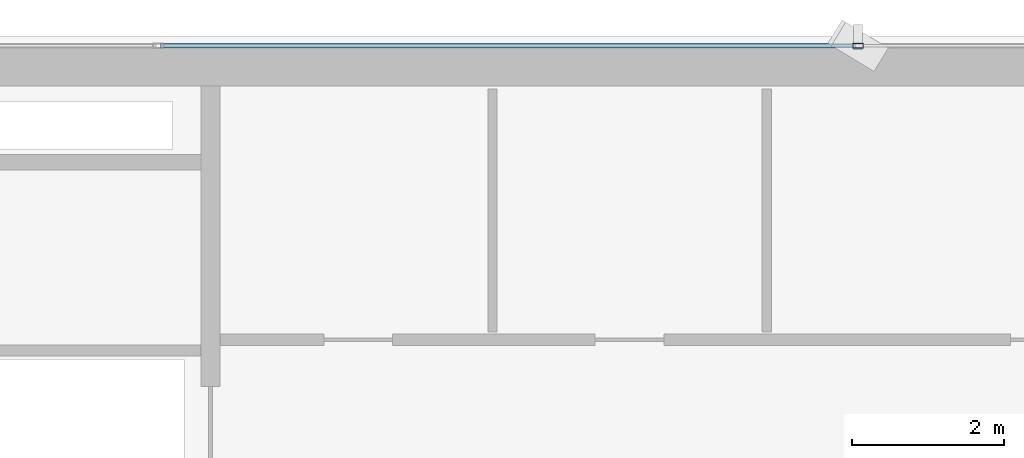
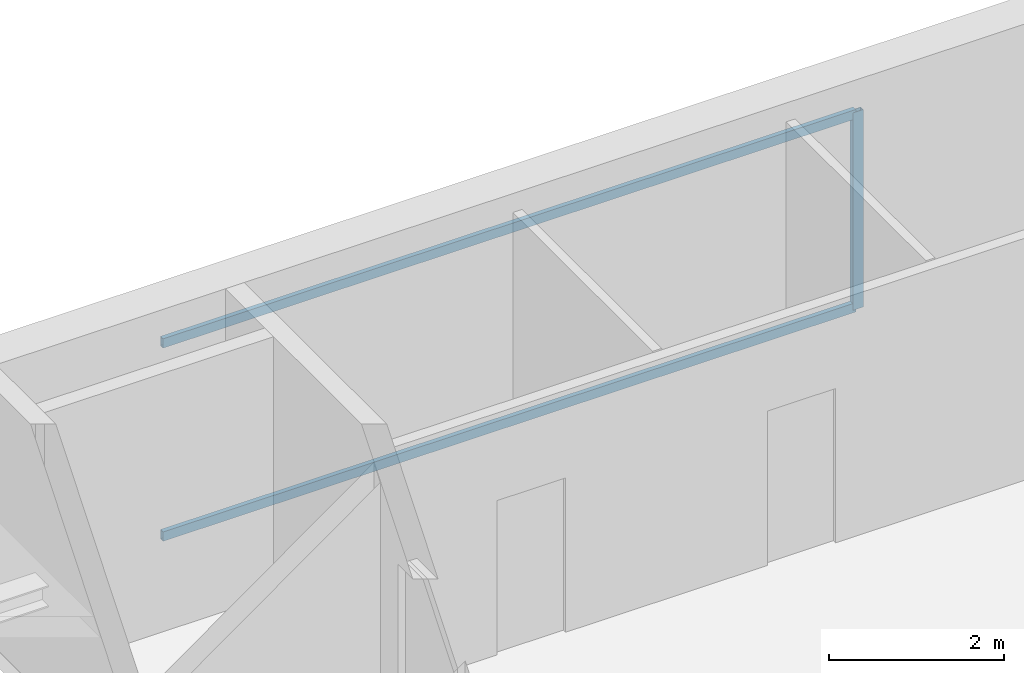
# One storey, part 16 of 25: 3 members, 1 element without a shape of its own.
"""IFC4 building model written with IfcOpenShell, lengths in metres."""

from ifc_helpers import new_model, si_unit, direction, frame, origin, origin_2d, place, context, subcontext, project, spatial, hollow_rectangle, extrude, source, transform, mapped, material, layer, layer_set, material_profile, profile_set, type_object, element, aggregate, save


model = new_model("IFC4")

# Units and contexts
model_context = context("Model", 3, precision=1e-05, world=origin(), true_north=direction((0.0, 1.0)))
body_context = subcontext(model_context, "Body", "Model", "MODEL_VIEW")
ifc_project = project(units=[si_unit("LENGTHUNIT", "METRE"), si_unit("AREAUNIT", "SQUARE_METRE"), si_unit("VOLUMEUNIT", "CUBIC_METRE"), si_unit("PLANEANGLEUNIT", "RADIAN"), si_unit("MASSUNIT", "GRAM", prefix="KILO")], contexts=[model_context])

# Site, building, storey
site_placement = place(None, origin())
site = spatial("IfcSite", under=ifc_project, at=site_placement, CompositionType="ELEMENT")
building_placement = place(site_placement, origin())
building = spatial("IfcBuilding", under=site, at=building_placement, Name="Sumidabori Civic Tower", CompositionType="ELEMENT")
storey_placement = place(building_placement, frame((0.0, 0.0, 268.39990234375)))
storey = spatial("IfcBuildingStorey", under=building, at=storey_placement, Name="L70", CompositionType="ELEMENT", Elevation=268.39990234375)

# Curtain wall, members
ifc_material = material(Name="Anodised Bronze Aluminium AW-6063-T6", Category="aluminium")
ifc_layer = layer(ifc_material, 0.179931640625, Name="Anodised Bronze Aluminium AW-6063-T6")
ifc_layer_set = layer_set([ifc_layer], Name="Anodised Bronze Aluminium AW-6063-T6")
curtain_wall_type = type_object("IfcCurtainWallType", Name="CW-SYS-5", PredefinedType="NOTDEFINED", material=ifc_layer_set)
curtain_wall_placement = place(storey_placement, origin())
curtain_wall = element("IfcCurtainWall", 1, at=curtain_wall_placement, inside=storey, type_object=curtain_wall_type, Name="Curtain Wall CW:L70:R07", PredefinedType="NOTDEFINED")
ifc_material_profile_1 = material_profile(ifc_material, hollow_rectangle(XDim=0.06005859375, YDim=0.1298828125, WallThickness=0.0048828125, at=origin_2d()), Name="ALU TRANSOM 130x60")
ifc_profile_set_1 = profile_set([ifc_material_profile_1], Name="Anodised Bronze Aluminium AW-6063-T6")
member_type_1 = type_object("IfcMemberType", Name="CW-TRN-130", PredefinedType="USERDEFINED", material=ifc_profile_set_1)
shared_shape_1 = source(origin(), body_context, "Body", "SweptSolid", [
    extrude(hollow_rectangle(XDim=0.06005859375, YDim=0.1298828125, WallThickness=0.0048828125, at=origin_2d()), origin(), (0.0, 0.0, 1.0), 9.125),
])
member_1_placement = place(storey_placement, frame((-0.030029296875, 24.080078125, 0.030029296875), z_axis=(-1.0, 0.0, 0.0), x_axis=(0.0, -1.0, 0.0)))
member_1 = element("IfcMember", 2, at=member_1_placement, type_object=member_type_1, Name="CW-5 transom 3.1", ObjectType="TRANSOM", PredefinedType="USERDEFINED", context=body_context, shape_type="MappedRepresentation", body=[
    mapped(shared_shape_1, transform((0.0, 0.0, 0.0), x_axis=(1.0, 0.0, 0.0), y_axis=(0.0, 1.0, 0.0), z_axis=(0.0, 0.0, 1.0), scale=1.0)),
])
member_2_placement = place(storey_placement, frame((-0.030029296875, 24.080078125, 2.72021484375), z_axis=(-1.0, 0.0, 0.0), x_axis=(0.0, -1.0, 0.0)))
member_2 = element("IfcMember", 3, at=member_2_placement, type_object=member_type_1, Name="CW-5 transom 3.2", ObjectType="TRANSOM", PredefinedType="USERDEFINED", context=body_context, shape_type="MappedRepresentation", body=[
    mapped(shared_shape_1, transform((0.0, 0.0, 0.0), x_axis=(1.0, 0.0, 0.0), y_axis=(0.0, 1.0, 0.0), z_axis=(0.0, 0.0, 1.0), scale=1.0)),
])
ifc_material_profile_2 = material_profile(ifc_material, hollow_rectangle(XDim=0.06005859375, YDim=0.139892578125, WallThickness=0.0048828125, at=origin_2d()), Name="ALU MULLION 140x60")
ifc_profile_set_2 = profile_set([ifc_material_profile_2], Name="Anodised Bronze Aluminium AW-6063-T6")
member_type_2 = type_object("IfcMemberType", Name="CW-MUL-140", PredefinedType="MULLION", material=ifc_profile_set_2)
shared_shape_2 = source(origin(), body_context, "Body", "SweptSolid", [
    extrude(hollow_rectangle(XDim=0.06005859375, YDim=0.139892578125, WallThickness=0.0048828125, at=origin_2d()), origin(), (0.0, 0.0, 1.0), 2.75),
])
member_3_placement = place(storey_placement, frame((0.0, 24.080078125, 0.0), z_axis=(0.0, 0.0, 1.0), x_axis=(0.0, -1.0, 0.0)))
member_3 = element("IfcMember", 4, at=member_3_placement, type_object=member_type_2, Name="CW-5 mullion 3", PredefinedType="MULLION", context=body_context, shape_type="MappedRepresentation", body=[
    mapped(shared_shape_2, transform((0.0, 0.0, 0.0), x_axis=(1.0, 0.0, 0.0), y_axis=(0.0, 1.0, 0.0), z_axis=(0.0, 0.0, 1.0), scale=1.0)),
])
aggregate(curtain_wall, [member_3, member_1, member_2])

save(model, "model.ifc")
